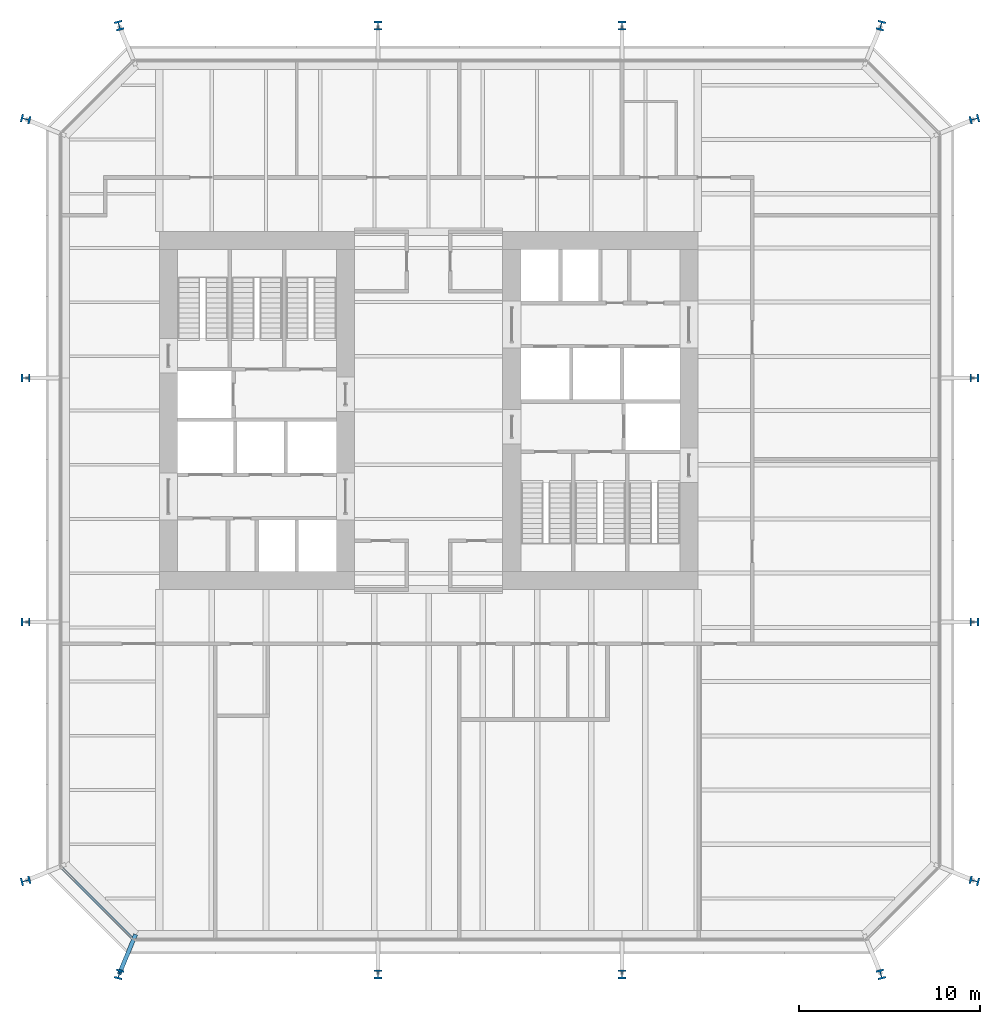
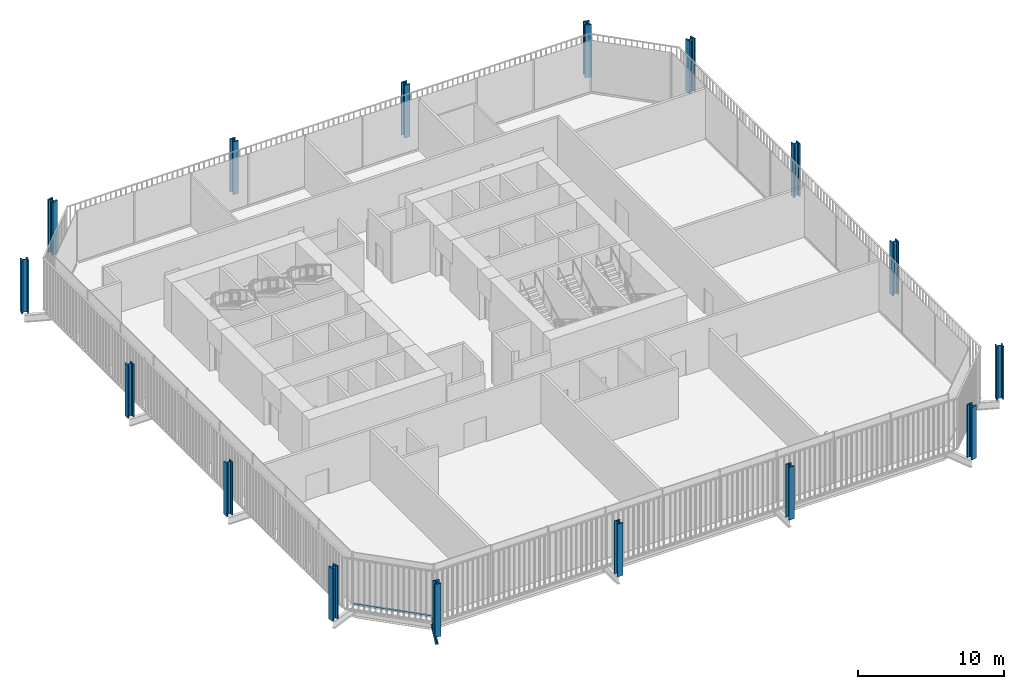
# One storey, part 1 of 20: 16 columns, 1 beam, 1 member, 1 element without a shape of its own.
"""IFC4 building model written with IfcOpenShell, lengths in metres."""

from ifc_helpers import new_model, si_unit, direction, frame, origin, origin_2d, place, context, subcontext, project, spatial, rectangle, i_section, extrude, material, layer, layer_set, material_profile, profile_set, type_object, element, aggregate, save


model = new_model("IFC4")

# Units and contexts
model_context = context("Model", 3, precision=1e-05, world=origin(), true_north=direction((0.0, 1.0)))
body_context = subcontext(model_context, "Body", "Model", "MODEL_VIEW")
ifc_project = project(units=[si_unit("LENGTHUNIT", "METRE"), si_unit("AREAUNIT", "SQUARE_METRE"), si_unit("VOLUMEUNIT", "CUBIC_METRE"), si_unit("PLANEANGLEUNIT", "RADIAN"), si_unit("MASSUNIT", "GRAM", prefix="KILO")], contexts=[model_context])

# Site, building, storey
site_placement = place(None, origin())
site = spatial("IfcSite", under=ifc_project, at=site_placement, CompositionType="ELEMENT")
building_placement = place(site_placement, origin())
building = spatial("IfcBuilding", under=site, at=building_placement, Name="Millrace Tower", CompositionType="ELEMENT")
storey_placement = place(building_placement, frame((0.0, 0.0, 77.60009765625)))
storey = spatial("IfcBuildingStorey", under=building, at=storey_placement, Name="L17", CompositionType="ELEMENT", Elevation=77.60009765625)

# Columns
ifc_material_1 = material(Name="Steel ASTM A913 Grade 65", Category="steel")
ifc_material_profile_1 = material_profile(ifc_material_1, i_section(OverallWidth=0.431884765625, OverallDepth=0.497802734375, WebThickness=0.0556640625, FlangeThickness=0.0888671875, FilletRadius=0.01513671875, at=origin_2d()))
ifc_profile_set_1 = profile_set([ifc_material_profile_1], Name="Steel ASTM A913 Grade 65")
column_type_1 = type_object("IfcColumnType", Name="Exoskeleton column W14x500", PredefinedType="COLUMN", material=ifc_profile_set_1)
for number, where, z_axis, x_axis, name in (
    (1, (-2.800048828125, -31.199951171875, 0.0), (0.0, 0.0, 1.0), (1.0, 0.0, 0.0), "COL-B-L17-X03"),
    (2, (10.699951171875, -31.199951171875, 0.0), (0.0, 0.0, 1.0), (1.0, 0.0, 0.0), "COL-B-L17-X04"),
    (3, (30.199951171875, -11.699951171875, 0.0), (0.0, 0.0, 1.0), (0.0, 1.0, 0.0), "COL-B-L17-X07"),
    (4, (30.199951171875, 1.800048828125, 0.0), (0.0, 0.0, 1.0), (0.0, 1.0, 0.0), "COL-B-L17-X08"),
    (5, (10.699951171875, 21.300048828125, 0.0), (0.0, 0.0, 1.0), (-1.0, 0.0, 0.0), "COL-B-L17-X11"),
    (6, (-2.800048828125, 21.300048828125, 0.0), (0.0, 0.0, 1.0), (-1.0, 0.0, 0.0), "COL-B-L17-X12"),
    (7, (-22.300048828125, 1.800048828125, 0.0), (0.0, 0.0, 1.0), (0.0, -1.0, 0.0), "COL-B-L17-X15"),
    (8, (-22.300048828125, -11.699951171875, 0.0), (0.0, 0.0, 1.0), (0.0, -1.0, 0.0), "COL-B-L17-X16"),
):
    element("IfcColumn", number, at=place(storey_placement, frame(where, z_axis=z_axis, x_axis=x_axis)), inside=storey, type_object=column_type_1, Name=name, PredefinedType="COLUMN", context=body_context, shape_type="SweptSolid", body=[
        extrude(i_section(OverallWidth=0.431884765625, OverallDepth=0.497802734375, WebThickness=0.0556640625, FlangeThickness=0.0888671875, FilletRadius=0.01513671875, at=origin_2d()), origin(), (0.0, 0.0, 1.0), 4.39990234375),
    ])
ifc_material_2 = material(Name="Steel ASTM A913 Grade 65", Category="steel")
ifc_material_profile_2 = material_profile(ifc_material_2, i_section(OverallWidth=0.44189453125, OverallDepth=0.53076171875, WebThickness=0.06591796875, FlangeThickness=0.105712890625, FilletRadius=0.01513671875, at=origin_2d()))
ifc_profile_set_2 = profile_set([ifc_material_profile_2], Name="Steel ASTM A913 Grade 65")
column_type_2 = type_object("IfcColumnType", Name="Exoskeleton column W14x605", PredefinedType="COLUMN", material=ifc_profile_set_2)
for number, where, z_axis, x_axis, name in (
    (9, (-22.300048828125, -26.0283203125, 0.0), (0.0, 0.0, 1.0), (0.256346878353, -0.966584852953, 0.0), "COL-B-L17-X01"),
    (10, (-17.12841796875, -31.199951171875, 0.0), (0.0, 0.0, 1.0), (0.966584852953, -0.256346878353, 0.0), "COL-B-L17-X02"),
    (11, (25.0283203125, -31.199951171875, 0.0), (0.0, 0.0, 1.0), (0.966584852953, 0.256346878353, 0.0), "COL-B-L17-X05"),
    (12, (30.199951171875, -26.0283203125, 0.0), (0.0, 0.0, 1.0), (0.256346878353, 0.966584852953, 0.0), "COL-B-L17-X06"),
    (13, (30.199951171875, 16.12841796875, 0.0), (0.0, 0.0, 1.0), (-0.256346878353, 0.966584852953, 0.0), "COL-B-L17-X09"),
    (14, (25.0283203125, 21.300048828125, 0.0), (0.0, 0.0, 1.0), (-0.966584852953, 0.256346878353, 0.0), "COL-B-L17-X10"),
    (15, (-17.12841796875, 21.300048828125, 0.0), (0.0, 0.0, 1.0), (-0.966584852953, -0.256346878353, 0.0), "COL-B-L17-X13"),
    (16, (-22.300048828125, 16.12841796875, 0.0), (0.0, 0.0, 1.0), (-0.256346878353, -0.966584852953, 0.0), "COL-B-L17-X14"),
):
    element("IfcColumn", number, at=place(storey_placement, frame(where, z_axis=z_axis, x_axis=x_axis)), inside=storey, type_object=column_type_2, Name=name, PredefinedType="COLUMN", context=body_context, shape_type="SweptSolid", body=[
        extrude(i_section(OverallWidth=0.44189453125, OverallDepth=0.53076171875, WebThickness=0.06591796875, FlangeThickness=0.105712890625, FilletRadius=0.01513671875, at=origin_2d()), origin(), (0.0, 0.0, 1.0), 4.39990234375),
    ])

# Curtain wall, member
ifc_material_3 = material(Name="Aluminium and glass", Category="aluminium")
ifc_layer = layer(ifc_material_3, 0.14990234375)
ifc_layer_set = layer_set([ifc_layer], Name="Aluminium and glass")
curtain_wall_type = type_object("IfcCurtainWallType", Name="CW-3 telecom floor curtain wall", PredefinedType="NOTDEFINED", material=ifc_layer_set)
curtain_wall_placement = place(storey_placement, origin())
curtain_wall = element("IfcCurtainWall", 17, at=curtain_wall_placement, inside=storey, type_object=curtain_wall_type, Name="Curtain wall B-F01 L17", PredefinedType="NOTDEFINED")
ifc_material_4 = material(Name="Aluminium", Category="aluminium")
ifc_material_profile_3 = material_profile(ifc_material_4, rectangle(XDim=0.14990234375, YDim=0.14990234375, at=origin_2d()))
ifc_profile_set_3 = profile_set([ifc_material_profile_3], Name="Aluminium")
member_type = type_object("IfcMemberType", Name="CW-3 telecom floor curtain wall transom", PredefinedType="USERDEFINED", material=ifc_profile_set_3)
member_placement = place(storey_placement, frame((-20.2822265625, -25.32373046875, 0.074951171875), z_axis=(0.707084410407, -0.707129151258, 0.0), x_axis=(0.707129151258, 0.707084410407, 0.0)))
member = element("IfcMember", 18, at=member_placement, type_object=member_type, Name="CW3 transom B-F01.1", ObjectType="TRANSOM", PredefinedType="USERDEFINED", context=body_context, shape_type="SweptSolid", body=[
    extrude(rectangle(XDim=0.14990234375, YDim=0.14990234375, at=origin_2d()), origin(), (0.0, 0.0, 1.0), 5.456787109375),
])
aggregate(curtain_wall, [member])

# Beam
ifc_material_5 = material(Name="Steel ASTM A992 Grade 50", Category="steel")
ifc_material_profile_4 = material_profile(ifc_material_5, i_section(OverallWidth=0.23046875, OverallDepth=0.6171875, WebThickness=0.01318359375, FlangeThickness=0.022216796875, FilletRadius=0.012939453125, at=origin_2d()))
ifc_profile_set_4 = profile_set([ifc_material_profile_4], Name="Steel ASTM A992 Grade 50")
beam_type = type_object("IfcBeamType", Name="Link beam W24x94", PredefinedType="BEAM", material=ifc_profile_set_4)
beam_placement = place(storey_placement, frame((-16.213134765625, -28.990478515625, -0.5087890625), z_axis=(-0.382715433277, -0.92386627665, 0.0), x_axis=(0.92386627665, -0.382715433277, 0.0)))
element("IfcBeam", 19, at=beam_placement, inside=storey, type_object=beam_type, Name="LNK-B-L17-S1-16", PredefinedType="BEAM", context=body_context, shape_type="SweptSolid", body=[
    extrude(i_section(OverallWidth=0.23046875, OverallDepth=0.6171875, WebThickness=0.01318359375, FlangeThickness=0.022216796875, FilletRadius=0.012939453125, at=origin_2d()), origin(), (0.0, 0.0, 1.0), 2.3916015625),
])

save(model, "model.ifc")
